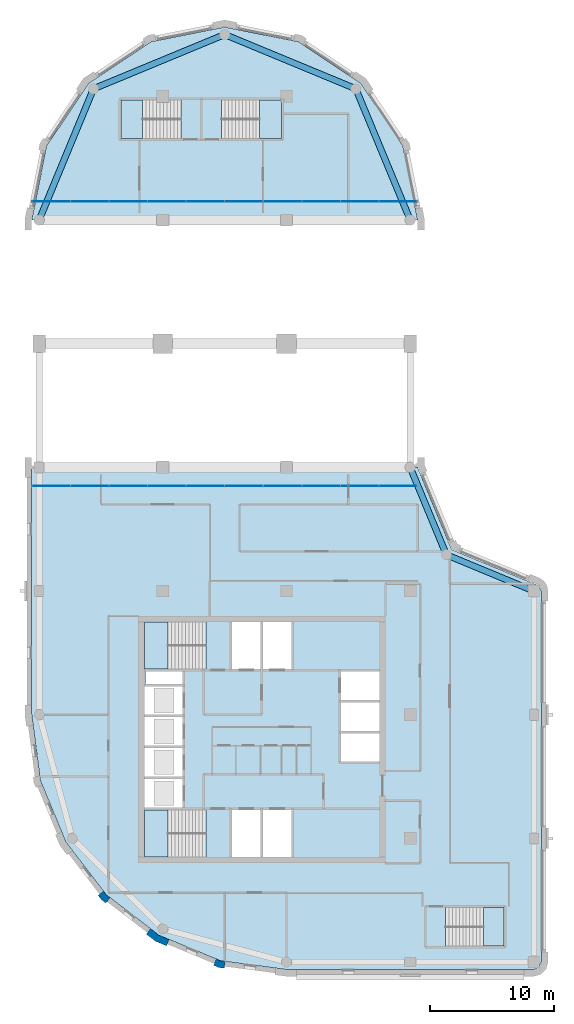
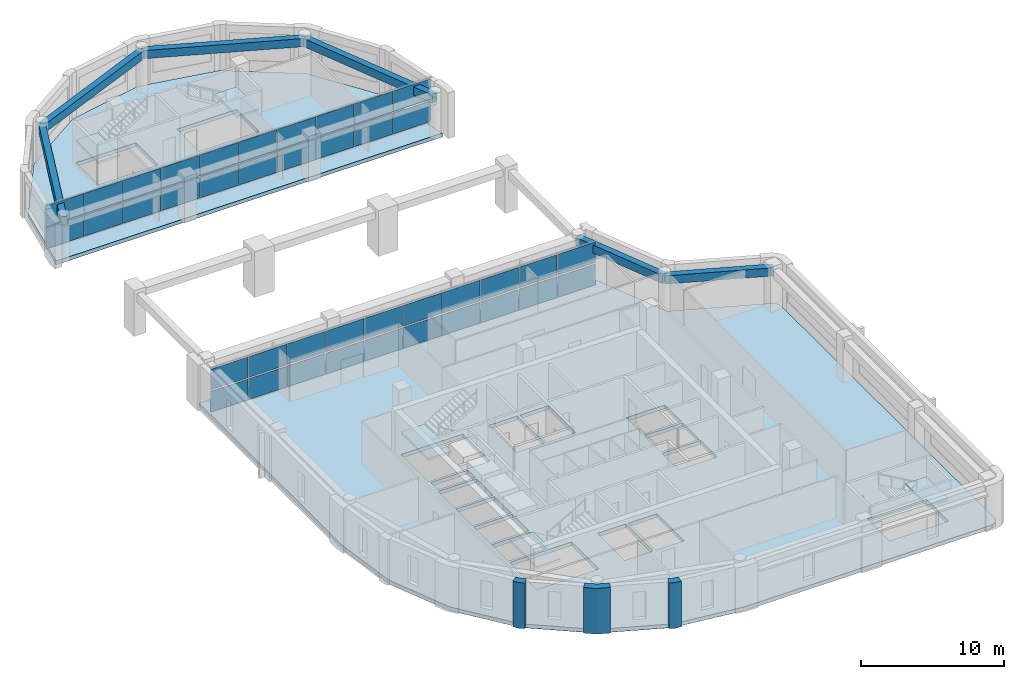
# One storey, part 4 of 11: 40 plates, 7 slabs, 6 beams, 3 walls, 7 elements without a shape of their own.
"""IFC4 building model written with IfcOpenShell, lengths in metres."""

import ifcopenshell
import ifcopenshell.guid

model = None  # the IFC model being written
_history = None  # IfcOwnerHistory: only IFC2X3 demands one
_inside = {}  # id of a spatial element -> (the spatial element, [elements in it])
_under = {}  # id of a project, library or spatial element -> (it, [spatial elements below it])
_declared = {}  # id of a project -> (the project, [libraries it declares])
_typed = {}  # id of a type object -> (the type object, [elements of that type])
_made_of = {}  # id of a material, layer set ... -> (it, [elements and type objects made of it])


def new_model(schema):
    """Start an empty IFC model of exactly this schema.

    Asked for "IFC4X3", IfcOpenShell would pick the latest addendum, in which some entities
    have other attributes; the version numbers below select the first issue.
    IFC2X3 requires an IfcOwnerHistory on every rooted entity: one is made here for all.
    """
    global model, _history
    if schema == "IFC4X3":
        model = ifcopenshell.file(schema_version=(4, 3, 0, 0))
    else:
        model = ifcopenshell.file(schema=schema)
    _inside.clear()
    _under.clear()
    _declared.clear()
    _typed.clear()
    _made_of.clear()
    _history = None
    if model.schema == "IFC2X3":
        org = make("IfcOrganization", Name="unknown")
        user = make(
            "IfcPersonAndOrganization",
            ThePerson=make("IfcPerson", FamilyName="unknown"),
            TheOrganization=org,
        )
        app = make(
            "IfcApplication",
            ApplicationDeveloper=org,
            Version="unknown",
            ApplicationFullName="unknown",
            ApplicationIdentifier="unknown",
        )
        _history = make(
            "IfcOwnerHistory",
            OwningUser=user,
            OwningApplication=app,
            ChangeAction="ADDED",
            CreationDate=0,
        )
    return model


def make(cls, **values):
    """One entity of the class cls with the attributes given. An attribute that is None is left unset."""
    return model.create_entity(
        cls, **{name: value for name, value in values.items() if value is not None}
    )


def rooted(cls, **values):
    """An entity with a GlobalId (a new one), such as an element, a storey or a relation."""
    return make(cls, GlobalId=ifcopenshell.guid.new(), OwnerHistory=_history, **values)


def si_unit(unit_type, name, prefix=None):
    """IfcSIUnit, for example si_unit("LENGTHUNIT", "METRE", prefix="MILLI")."""
    return make("IfcSIUnit", UnitType=unit_type, Prefix=prefix, Name=name)


def assignment(units):
    """IfcUnitAssignment: the units of a project."""
    return None if units is None else make("IfcUnitAssignment", Units=units)


def point(xyz):
    """IfcCartesianPoint."""
    return None if xyz is None else make("IfcCartesianPoint", Coordinates=xyz)


def direction(xyz):
    """IfcDirection."""
    return None if xyz is None else make("IfcDirection", DirectionRatios=xyz)


def frame(location, z_axis=None, x_axis=None):
    """IfcAxis2Placement3D, a coordinate frame: its origin and axes. An axis left out is left unset."""
    return make(
        "IfcAxis2Placement3D",
        Location=point(location),
        Axis=direction(z_axis),
        RefDirection=direction(x_axis),
    )


def frame_2d(location, x_axis=None):
    """IfcAxis2Placement2D, a coordinate frame in the plane: its origin and x axis."""
    return make(
        "IfcAxis2Placement2D", Location=point(location), RefDirection=direction(x_axis)
    )


def origin():
    """The frame at (0, 0, 0) with its axes left unset."""
    return frame((0.0, 0.0, 0.0))


def origin_2d():
    """The frame at (0, 0) in the plane with its x axis left unset."""
    return frame_2d((0.0, 0.0))


def place(relative_to, where):
    """IfcLocalPlacement: puts the frame where relative to a parent placement (None: the world)."""
    return make(
        "IfcLocalPlacement", PlacementRelTo=relative_to, RelativePlacement=where
    )


def context(
    kind, dimensions, precision=None, world=None, true_north=None, identifier=None
):
    """IfcGeometricRepresentationContext, for example the 3D "Model" context."""
    return make(
        "IfcGeometricRepresentationContext",
        ContextIdentifier=identifier,
        ContextType=kind,
        CoordinateSpaceDimension=dimensions,
        Precision=precision,
        WorldCoordinateSystem=world,
        TrueNorth=true_north,
    )


def subcontext(parent, identifier, kind, view, scale=None):
    """IfcGeometricRepresentationSubContext, for example "Body" below "Model"."""
    return make(
        "IfcGeometricRepresentationSubContext",
        ContextIdentifier=identifier,
        ContextType=kind,
        ParentContext=parent,
        TargetScale=scale,
        TargetView=view,
    )


def project(units=None, contexts=None):
    """IfcProject with its units and contexts."""
    return rooted(
        "IfcProject",
        Name="project",
        RepresentationContexts=contexts,
        UnitsInContext=assignment(units),
    )


def spatial(cls, under=None, at=None, **own):
    """A site, building, storey or space (cls), placed at a placement, below another one or the project."""
    s = rooted(cls, ObjectPlacement=at, **own)
    if under is not None:
        _under.setdefault(under.id(), (under, []))[1].append(s)
    return s


def polyline(points):
    """IfcPolyline through the points."""
    return make("IfcPolyline", Points=[point(p) for p in points])


def profile(cls, at=None, kind="AREA", **sizes):
    """A parametric profile (cls). Its sizes go by their IFC names, for example OverallWidth=200.0."""
    return make(cls, ProfileType=kind, Position=at, **sizes)


def rectangle(**sizes):
    """IfcRectangleProfileDef."""
    return profile("IfcRectangleProfileDef", **sizes)


def outline(outer, holes=None, kind="AREA"):
    """IfcArbitraryClosedProfileDef: a profile drawn as a closed curve; with holes, ...WithVoids."""
    if holes is None:
        return make("IfcArbitraryClosedProfileDef", ProfileType=kind, OuterCurve=outer)
    return make(
        "IfcArbitraryProfileDefWithVoids",
        ProfileType=kind,
        OuterCurve=outer,
        InnerCurves=holes,
    )


def extrude(swept, where, along, depth):
    """IfcExtrudedAreaSolid: the profile swept, set in the frame where, extruded along a direction by depth."""
    return make(
        "IfcExtrudedAreaSolid",
        SweptArea=swept,
        Position=where,
        ExtrudedDirection=direction(along),
        Depth=depth,
    )


def shape(context_of_items, identifier, shape_type, items):
    """IfcShapeRepresentation: the items that make up one representation, for example the "Body"."""
    return make(
        "IfcShapeRepresentation",
        ContextOfItems=context_of_items,
        RepresentationIdentifier=identifier,
        RepresentationType=shape_type,
        Items=items,
    )


def material(Name=None, Category=None):
    """IfcMaterial."""
    return make("IfcMaterial", Name=Name, Category=Category)


def layer(
    of_material, thickness, ventilated=None, Name=None, Category=None, Priority=None
):
    """IfcMaterialLayer: one layer of a wall or slab, of a material (None: an air gap)."""
    return make(
        "IfcMaterialLayer",
        Material=of_material,
        LayerThickness=thickness,
        IsVentilated=ventilated,
        Name=Name,
        Category=Category,
        Priority=Priority,
    )


def layer_set(layers, Name=None):
    """IfcMaterialLayerSet."""
    return make("IfcMaterialLayerSet", MaterialLayers=layers, LayerSetName=Name)


def material_profile(
    of_material, cross_section, Name=None, Category=None, Priority=None
):
    """IfcMaterialProfile: a cross section and its material."""
    return make(
        "IfcMaterialProfile",
        Name=Name,
        Material=of_material,
        Profile=cross_section,
        Priority=Priority,
        Category=Category,
    )


def profile_set(profiles, Name=None, composite=None):
    """IfcMaterialProfileSet."""
    return make(
        "IfcMaterialProfileSet",
        Name=Name,
        MaterialProfiles=profiles,
        CompositeProfile=composite,
    )


def made_of(thing, what):
    """Note that an element or type object is made of a material, layer set ...; save() writes the relation."""
    if what is not None:
        _made_of.setdefault(what.id(), (what, []))[1].append(thing)
    return thing


def type_object(cls, material=None, **own):
    """A type object (cls), such as IfcWallType, which elements share."""
    return made_of(rooted(cls, **own), material)


def element(
    cls,
    number,
    at=None,
    inside=None,
    cuts=None,
    type_object=None,
    material=None,
    context=None,
    identifier="Body",
    shape_type=None,
    held_by="IfcProductDefinitionShape",
    body=None,
    shapes=None,
    **own,
):
    """One element of the class cls, such as IfcWall. Its Tag is "e" and its number.

    at: its placement. inside: the storey or other place that contains it. cuts: it is an
    opening in that element (IfcRelVoidsElement). A single representation is given by context,
    identifier, shape_type and body (its items); several are given by shapes. held_by: the class
    of the entity that holds the representations. save() writes the other relations.
    """
    e = rooted(cls, Tag="e%d" % number, ObjectPlacement=at, **own)
    if body is not None:
        shapes = [shape(context, identifier, shape_type, body)]
    if shapes is not None:
        e.Representation = make(held_by, Representations=shapes)
    if inside is not None:
        _inside.setdefault(inside.id(), (inside, []))[1].append(e)
    if cuts is not None:
        rooted(
            "IfcRelVoidsElement", RelatingBuildingElement=cuts, RelatedOpeningElement=e
        )
    if type_object is not None:
        _typed.setdefault(type_object.id(), (type_object, []))[1].append(e)
    return made_of(e, material)


def aggregate(whole, parts):
    """IfcRelAggregates: a whole, such as a stair, and the parts it consists of."""
    return rooted("IfcRelAggregates", RelatingObject=whole, RelatedObjects=parts)


def save(model, path):
    """Write the relations noted so far, then the file.

    IfcRelAggregates (storeys below a building ...), IfcRelContainedInSpatialStructure (elements
    in a storey), IfcRelDefinesByType, IfcRelAssociatesMaterial and IfcRelDeclares: one each for
    every whole, place, type object, material and project.
    """
    for whole, parts in _under.values():
        aggregate(whole, parts)
    for where, things in _inside.values():
        rooted(
            "IfcRelContainedInSpatialStructure",
            RelatedElements=things,
            RelatingStructure=where,
        )
    for kind, things in _typed.values():
        rooted("IfcRelDefinesByType", RelatedObjects=things, RelatingType=kind)
    for what, things in _made_of.values():
        rooted("IfcRelAssociatesMaterial", RelatedObjects=things, RelatingMaterial=what)
    for by, libraries in _declared.values():
        rooted("IfcRelDeclares", RelatingContext=by, RelatedDefinitions=libraries)
    model.write(path)


model = new_model("IFC4")

# Units and contexts
model_context = context("Model", 3, precision=1e-05, world=origin(), true_north=direction((0.0, 1.0)))
body_context = subcontext(model_context, "Body", "Model", "MODEL_VIEW")
ifc_project = project(units=[si_unit("LENGTHUNIT", "METRE"), si_unit("AREAUNIT", "SQUARE_METRE"), si_unit("VOLUMEUNIT", "CUBIC_METRE"), si_unit("PLANEANGLEUNIT", "RADIAN"), si_unit("MASSUNIT", "GRAM", prefix="KILO")], contexts=[model_context])

# Site, building, storey
site_placement = place(None, origin())
site = spatial("IfcSite", under=ifc_project, at=site_placement, CompositionType="ELEMENT")
building_placement = place(site_placement, origin())
building = spatial("IfcBuilding", under=site, at=building_placement, Name="Qaws Garden Tower", CompositionType="ELEMENT")
storey_placement = place(building_placement, frame((0.0, 0.0, 325.5)))
storey = spatial("IfcBuildingStorey", under=building, at=storey_placement, Name="L79", CompositionType="ELEMENT", Elevation=325.5)

# Beams
ifc_material_1 = material(Name="Concrete C45", Category="concrete")
ifc_material_profile = material_profile(ifc_material_1, rectangle(XDim=0.5, YDim=0.699951171875, at=origin_2d()), Name="RC 500x700")
ifc_profile_set = profile_set([ifc_material_profile], Name="Concrete C45")
beam_type = type_object("IfcBeamType", Name="Spandrel beam RC 500x700 C45", PredefinedType="SPANDREL", material=ifc_profile_set)
for number, where, z_axis, x_axis, name in (
    (1, (40.0, 30.0, 3.22998046875), (-0.923878037141, 0.382687042488, 0.0), (-0.382687042488, -0.923878037141, 0.0), "Spandrel beam L79-006"),
    (2, (32.928955078125, 32.928955078125, 3.22998046875), (-0.382687042488, 0.923878037141, 0.0), (-0.923878037141, -0.382687042488, 0.0), "Spandrel beam L79-007"),
):
    element("IfcBeam", number, at=place(storey_placement, frame(where, z_axis=z_axis, x_axis=x_axis)), inside=storey, type_object=beam_type, Name=name, PredefinedType="SPANDREL", context=body_context, shape_type="SweptSolid", body=[
        extrude(rectangle(XDim=0.5, YDim=0.699951171875, at=origin_2d()), origin(), (0.0, 0.0, 1.0), 7.653564453125),
    ])
for number, where, z_axis, x_axis, name in (
    (3, (30.0, 60.0, 3.22998046875), (-0.382674207535, 0.923883353507, 0.0), (-0.923883353507, -0.382674207535, 0.0), "Spandrel beam L79-009"),
    (4, (25.606689453125, 70.606689453125, 3.22998046875), (-0.923883353507, 0.382674207535, 0.0), (-0.382674207535, -0.923883353507, 0.0), "Spandrel beam L79-010"),
    (5, (15.0, 75.0, 3.22998046875), (-0.923883353507, -0.382674207535, 0.0), (0.382674207535, -0.923883353507, 0.0), "Spandrel beam L79-011"),
    (6, (4.393310546875, 70.606689453125, 3.22998046875), (-0.382674207535, -0.923883353507, 0.0), (0.923883353507, -0.382674207535, 0.0), "Spandrel beam L79-012"),
):
    element("IfcBeam", number, at=place(storey_placement, frame(where, z_axis=z_axis, x_axis=x_axis)), inside=storey, type_object=beam_type, Name=name, PredefinedType="SPANDREL", context=body_context, shape_type="SweptSolid", body=[
        extrude(rectangle(XDim=0.5, YDim=0.699951171875, at=origin_2d()), origin(), (0.0, 0.0, 1.0), 11.48046875),
    ])

# Curtain wall, plates
ifc_material_2 = material(Name="Anodised aluminium curtain wall frame", Category="aluminium")
ifc_layer_1 = layer(ifc_material_2, 0.159912109375)
ifc_layer_set_1 = layer_set([ifc_layer_1], Name="Anodised aluminium curtain wall frame")
curtain_wall_type = type_object("IfcCurtainWallType", Name="CW5 portal screen curtain wall", PredefinedType="NOTDEFINED", material=ifc_layer_set_1)
placement_1 = place(storey_placement, origin())
curtain_wall_1 = element("IfcCurtainWall", 7, at=placement_1, inside=storey, type_object=curtain_wall_type, Name="CW5 Portal screen 0", PredefinedType="NOTDEFINED")
ifc_material_3 = material(Name="Clear laminated glass", Category="glass")
ifc_layer_2 = layer(ifc_material_3, 0.031982421875)
ifc_layer_set_2 = layer_set([ifc_layer_2], Name="Clear laminated glass")
plate_type = type_object("IfcPlateType", Name="CW5 glass panel 32", PredefinedType="CURTAIN_PANEL", material=ifc_layer_set_2)
plate_1_placement = place(storey_placement, frame((0.972412109375, 38.5, 0.119873046875), z_axis=(0.0, 0.0, 1.0), x_axis=(1.0, 0.0, 0.0)))
plate_1 = element("IfcPlate", 8, at=plate_1_placement, type_object=plate_type, Name="CW5 panel 1.1", PredefinedType="CURTAIN_PANEL", context=body_context, shape_type="SweptSolid", body=[
    extrude(rectangle(XDim=3.044921875, YDim=0.031982421875, at=origin_2d()), origin(), (0.0, 0.0, 1.0), 1.77001953125),
])
plate_2_placement = place(storey_placement, frame((0.972412109375, 38.5, 2.010009765625), z_axis=(0.0, 0.0, 1.0), x_axis=(1.0, 0.0, 0.0)))
plate_2 = element("IfcPlate", 9, at=plate_2_placement, type_object=plate_type, Name="CW5 panel 1.2", PredefinedType="CURTAIN_PANEL", context=body_context, shape_type="SweptSolid", body=[
    extrude(rectangle(XDim=3.044921875, YDim=0.031982421875, at=origin_2d()), origin(), (0.0, 0.0, 1.0), 1.77001953125),
])
plate_3_placement = place(storey_placement, frame((4.080078125, 38.5, 0.119873046875), z_axis=(0.0, 0.0, 1.0), x_axis=(1.0, 0.0, 0.0)))
plate_3 = element("IfcPlate", 10, at=plate_3_placement, type_object=plate_type, Name="CW5 panel 2.1", PredefinedType="CURTAIN_PANEL", context=body_context, shape_type="SweptSolid", body=[
    extrude(rectangle(XDim=3.070068359375, YDim=0.031982421875, at=origin_2d()), origin(), (0.0, 0.0, 1.0), 1.77001953125),
])
plate_4_placement = place(storey_placement, frame((4.080078125, 38.5, 2.010009765625), z_axis=(0.0, 0.0, 1.0), x_axis=(1.0, 0.0, 0.0)))
plate_4 = element("IfcPlate", 11, at=plate_4_placement, type_object=plate_type, Name="CW5 panel 2.2", PredefinedType="CURTAIN_PANEL", context=body_context, shape_type="SweptSolid", body=[
    extrude(rectangle(XDim=3.070068359375, YDim=0.031982421875, at=origin_2d()), origin(), (0.0, 0.0, 1.0), 1.77001953125),
])
plate_5_placement = place(storey_placement, frame((7.199951171875, 38.5, 0.119873046875), z_axis=(0.0, 0.0, 1.0), x_axis=(1.0, 0.0, 0.0)))
plate_5 = element("IfcPlate", 12, at=plate_5_placement, type_object=plate_type, Name="CW5 panel 3.1", PredefinedType="CURTAIN_PANEL", context=body_context, shape_type="SweptSolid", body=[
    extrude(rectangle(XDim=3.070068359375, YDim=0.031982421875, at=origin_2d()), origin(), (0.0, 0.0, 1.0), 1.77001953125),
])
plate_6_placement = place(storey_placement, frame((7.199951171875, 38.5, 2.010009765625), z_axis=(0.0, 0.0, 1.0), x_axis=(1.0, 0.0, 0.0)))
plate_6 = element("IfcPlate", 13, at=plate_6_placement, type_object=plate_type, Name="CW5 panel 3.2", PredefinedType="CURTAIN_PANEL", context=body_context, shape_type="SweptSolid", body=[
    extrude(rectangle(XDim=3.070068359375, YDim=0.031982421875, at=origin_2d()), origin(), (0.0, 0.0, 1.0), 1.77001953125),
])
plate_7_placement = place(storey_placement, frame((10.320068359375, 38.5, 0.119873046875), z_axis=(0.0, 0.0, 1.0), x_axis=(1.0, 0.0, 0.0)))
plate_7 = element("IfcPlate", 14, at=plate_7_placement, type_object=plate_type, Name="CW5 panel 4.1", PredefinedType="CURTAIN_PANEL", context=body_context, shape_type="SweptSolid", body=[
    extrude(rectangle(XDim=3.070068359375, YDim=0.031982421875, at=origin_2d()), origin(), (0.0, 0.0, 1.0), 1.77001953125),
])
plate_8_placement = place(storey_placement, frame((10.320068359375, 38.5, 2.010009765625), z_axis=(0.0, 0.0, 1.0), x_axis=(1.0, 0.0, 0.0)))
plate_8 = element("IfcPlate", 15, at=plate_8_placement, type_object=plate_type, Name="CW5 panel 4.2", PredefinedType="CURTAIN_PANEL", context=body_context, shape_type="SweptSolid", body=[
    extrude(rectangle(XDim=3.070068359375, YDim=0.031982421875, at=origin_2d()), origin(), (0.0, 0.0, 1.0), 1.77001953125),
])
plate_9_placement = place(storey_placement, frame((13.43994140625, 38.5, 0.119873046875), z_axis=(0.0, 0.0, 1.0), x_axis=(1.0, 0.0, 0.0)))
plate_9 = element("IfcPlate", 16, at=plate_9_placement, type_object=plate_type, Name="CW5 panel 5.1", PredefinedType="CURTAIN_PANEL", context=body_context, shape_type="SweptSolid", body=[
    extrude(rectangle(XDim=3.070068359375, YDim=0.031982421875, at=origin_2d()), origin(), (0.0, 0.0, 1.0), 1.77001953125),
])
plate_10_placement = place(storey_placement, frame((13.43994140625, 38.5, 2.010009765625), z_axis=(0.0, 0.0, 1.0), x_axis=(1.0, 0.0, 0.0)))
plate_10 = element("IfcPlate", 17, at=plate_10_placement, type_object=plate_type, Name="CW5 panel 5.2", PredefinedType="CURTAIN_PANEL", context=body_context, shape_type="SweptSolid", body=[
    extrude(rectangle(XDim=3.070068359375, YDim=0.031982421875, at=origin_2d()), origin(), (0.0, 0.0, 1.0), 1.77001953125),
])
plate_11_placement = place(storey_placement, frame((16.56005859375, 38.5, 0.119873046875), z_axis=(0.0, 0.0, 1.0), x_axis=(1.0, 0.0, 0.0)))
plate_11 = element("IfcPlate", 18, at=plate_11_placement, type_object=plate_type, Name="CW5 panel 6.1", PredefinedType="CURTAIN_PANEL", context=body_context, shape_type="SweptSolid", body=[
    extrude(rectangle(XDim=3.070068359375, YDim=0.031982421875, at=origin_2d()), origin(), (0.0, 0.0, 1.0), 1.77001953125),
])
plate_12_placement = place(storey_placement, frame((16.56005859375, 38.5, 2.010009765625), z_axis=(0.0, 0.0, 1.0), x_axis=(1.0, 0.0, 0.0)))
plate_12 = element("IfcPlate", 19, at=plate_12_placement, type_object=plate_type, Name="CW5 panel 6.2", PredefinedType="CURTAIN_PANEL", context=body_context, shape_type="SweptSolid", body=[
    extrude(rectangle(XDim=3.070068359375, YDim=0.031982421875, at=origin_2d()), origin(), (0.0, 0.0, 1.0), 1.77001953125),
])
plate_13_placement = place(storey_placement, frame((19.679931640625, 38.5, 0.119873046875), z_axis=(0.0, 0.0, 1.0), x_axis=(1.0, 0.0, 0.0)))
plate_13 = element("IfcPlate", 20, at=plate_13_placement, type_object=plate_type, Name="CW5 panel 7.1", PredefinedType="CURTAIN_PANEL", context=body_context, shape_type="SweptSolid", body=[
    extrude(rectangle(XDim=3.070068359375, YDim=0.031982421875, at=origin_2d()), origin(), (0.0, 0.0, 1.0), 1.77001953125),
])
plate_14_placement = place(storey_placement, frame((19.679931640625, 38.5, 2.010009765625), z_axis=(0.0, 0.0, 1.0), x_axis=(1.0, 0.0, 0.0)))
plate_14 = element("IfcPlate", 21, at=plate_14_placement, type_object=plate_type, Name="CW5 panel 7.2", PredefinedType="CURTAIN_PANEL", context=body_context, shape_type="SweptSolid", body=[
    extrude(rectangle(XDim=3.070068359375, YDim=0.031982421875, at=origin_2d()), origin(), (0.0, 0.0, 1.0), 1.77001953125),
])
plate_15_placement = place(storey_placement, frame((22.800048828125, 38.5, 0.119873046875), z_axis=(0.0, 0.0, 1.0), x_axis=(1.0, 0.0, 0.0)))
plate_15 = element("IfcPlate", 22, at=plate_15_placement, type_object=plate_type, Name="CW5 panel 8.1", PredefinedType="CURTAIN_PANEL", context=body_context, shape_type="SweptSolid", body=[
    extrude(rectangle(XDim=3.070068359375, YDim=0.031982421875, at=origin_2d()), origin(), (0.0, 0.0, 1.0), 1.77001953125),
])
plate_16_placement = place(storey_placement, frame((22.800048828125, 38.5, 2.010009765625), z_axis=(0.0, 0.0, 1.0), x_axis=(1.0, 0.0, 0.0)))
plate_16 = element("IfcPlate", 23, at=plate_16_placement, type_object=plate_type, Name="CW5 panel 8.2", PredefinedType="CURTAIN_PANEL", context=body_context, shape_type="SweptSolid", body=[
    extrude(rectangle(XDim=3.070068359375, YDim=0.031982421875, at=origin_2d()), origin(), (0.0, 0.0, 1.0), 1.77001953125),
])
plate_17_placement = place(storey_placement, frame((25.919921875, 38.5, 0.119873046875), z_axis=(0.0, 0.0, 1.0), x_axis=(1.0, 0.0, 0.0)))
plate_17 = element("IfcPlate", 24, at=plate_17_placement, type_object=plate_type, Name="CW5 panel 9.1", PredefinedType="CURTAIN_PANEL", context=body_context, shape_type="SweptSolid", body=[
    extrude(rectangle(XDim=3.070068359375, YDim=0.031982421875, at=origin_2d()), origin(), (0.0, 0.0, 1.0), 1.77001953125),
])
plate_18_placement = place(storey_placement, frame((25.919921875, 38.5, 2.010009765625), z_axis=(0.0, 0.0, 1.0), x_axis=(1.0, 0.0, 0.0)))
plate_18 = element("IfcPlate", 25, at=plate_18_placement, type_object=plate_type, Name="CW5 panel 9.2", PredefinedType="CURTAIN_PANEL", context=body_context, shape_type="SweptSolid", body=[
    extrude(rectangle(XDim=3.070068359375, YDim=0.031982421875, at=origin_2d()), origin(), (0.0, 0.0, 1.0), 1.77001953125),
])
plate_19_placement = place(storey_placement, frame((29.027587890625, 38.5, 0.119873046875), z_axis=(0.0, 0.0, 1.0), x_axis=(1.0, 0.0, 0.0)))
plate_19 = element("IfcPlate", 26, at=plate_19_placement, type_object=plate_type, Name="CW5 panel 10.1", PredefinedType="CURTAIN_PANEL", context=body_context, shape_type="SweptSolid", body=[
    extrude(rectangle(XDim=3.044921875, YDim=0.031982421875, at=origin_2d()), origin(), (0.0, 0.0, 1.0), 1.77001953125),
])
plate_20_placement = place(storey_placement, frame((29.027587890625, 38.5, 2.010009765625), z_axis=(0.0, 0.0, 1.0), x_axis=(1.0, 0.0, 0.0)))
plate_20 = element("IfcPlate", 27, at=plate_20_placement, type_object=plate_type, Name="CW5 panel 10.2", PredefinedType="CURTAIN_PANEL", context=body_context, shape_type="SweptSolid", body=[
    extrude(rectangle(XDim=3.044921875, YDim=0.031982421875, at=origin_2d()), origin(), (0.0, 0.0, 1.0), 1.77001953125),
])
aggregate(curtain_wall_1, [plate_1, plate_2, plate_3, plate_4, plate_5, plate_6, plate_7, plate_8, plate_9, plate_10, plate_11, plate_12, plate_13, plate_14, plate_15, plate_16, plate_17, plate_18, plate_19, plate_20])

curtain_wall_2 = element("IfcCurtainWall", 28, at=placement_1, inside=storey, type_object=curtain_wall_type, Name="CW5 Portal screen 1", PredefinedType="NOTDEFINED")
plate_21_placement = place(storey_placement, frame((0.972412109375, 61.5, 0.119873046875), z_axis=(0.0, 0.0, 1.0), x_axis=(1.0, 0.0, 0.0)))
plate_21 = element("IfcPlate", 29, at=plate_21_placement, type_object=plate_type, Name="CW5 panel 1.1", PredefinedType="CURTAIN_PANEL", context=body_context, shape_type="SweptSolid", body=[
    extrude(rectangle(XDim=3.044921875, YDim=0.031982421875, at=origin_2d()), origin(), (0.0, 0.0, 1.0), 1.77001953125),
])
plate_22_placement = place(storey_placement, frame((0.972412109375, 61.5, 2.010009765625), z_axis=(0.0, 0.0, 1.0), x_axis=(1.0, 0.0, 0.0)))
plate_22 = element("IfcPlate", 30, at=plate_22_placement, type_object=plate_type, Name="CW5 panel 1.2", PredefinedType="CURTAIN_PANEL", context=body_context, shape_type="SweptSolid", body=[
    extrude(rectangle(XDim=3.044921875, YDim=0.031982421875, at=origin_2d()), origin(), (0.0, 0.0, 1.0), 1.77001953125),
])
plate_23_placement = place(storey_placement, frame((4.080078125, 61.5, 0.119873046875), z_axis=(0.0, 0.0, 1.0), x_axis=(1.0, 0.0, 0.0)))
plate_23 = element("IfcPlate", 31, at=plate_23_placement, type_object=plate_type, Name="CW5 panel 2.1", PredefinedType="CURTAIN_PANEL", context=body_context, shape_type="SweptSolid", body=[
    extrude(rectangle(XDim=3.070068359375, YDim=0.031982421875, at=origin_2d()), origin(), (0.0, 0.0, 1.0), 1.77001953125),
])
plate_24_placement = place(storey_placement, frame((4.080078125, 61.5, 2.010009765625), z_axis=(0.0, 0.0, 1.0), x_axis=(1.0, 0.0, 0.0)))
plate_24 = element("IfcPlate", 32, at=plate_24_placement, type_object=plate_type, Name="CW5 panel 2.2", PredefinedType="CURTAIN_PANEL", context=body_context, shape_type="SweptSolid", body=[
    extrude(rectangle(XDim=3.070068359375, YDim=0.031982421875, at=origin_2d()), origin(), (0.0, 0.0, 1.0), 1.77001953125),
])
plate_25_placement = place(storey_placement, frame((7.199951171875, 61.5, 0.119873046875), z_axis=(0.0, 0.0, 1.0), x_axis=(1.0, 0.0, 0.0)))
plate_25 = element("IfcPlate", 33, at=plate_25_placement, type_object=plate_type, Name="CW5 panel 3.1", PredefinedType="CURTAIN_PANEL", context=body_context, shape_type="SweptSolid", body=[
    extrude(rectangle(XDim=3.070068359375, YDim=0.031982421875, at=origin_2d()), origin(), (0.0, 0.0, 1.0), 1.77001953125),
])
plate_26_placement = place(storey_placement, frame((7.199951171875, 61.5, 2.010009765625), z_axis=(0.0, 0.0, 1.0), x_axis=(1.0, 0.0, 0.0)))
plate_26 = element("IfcPlate", 34, at=plate_26_placement, type_object=plate_type, Name="CW5 panel 3.2", PredefinedType="CURTAIN_PANEL", context=body_context, shape_type="SweptSolid", body=[
    extrude(rectangle(XDim=3.070068359375, YDim=0.031982421875, at=origin_2d()), origin(), (0.0, 0.0, 1.0), 1.77001953125),
])
plate_27_placement = place(storey_placement, frame((10.320068359375, 61.5, 0.119873046875), z_axis=(0.0, 0.0, 1.0), x_axis=(1.0, 0.0, 0.0)))
plate_27 = element("IfcPlate", 35, at=plate_27_placement, type_object=plate_type, Name="CW5 panel 4.1", PredefinedType="CURTAIN_PANEL", context=body_context, shape_type="SweptSolid", body=[
    extrude(rectangle(XDim=3.070068359375, YDim=0.031982421875, at=origin_2d()), origin(), (0.0, 0.0, 1.0), 1.77001953125),
])
plate_28_placement = place(storey_placement, frame((10.320068359375, 61.5, 2.010009765625), z_axis=(0.0, 0.0, 1.0), x_axis=(1.0, 0.0, 0.0)))
plate_28 = element("IfcPlate", 36, at=plate_28_placement, type_object=plate_type, Name="CW5 panel 4.2", PredefinedType="CURTAIN_PANEL", context=body_context, shape_type="SweptSolid", body=[
    extrude(rectangle(XDim=3.070068359375, YDim=0.031982421875, at=origin_2d()), origin(), (0.0, 0.0, 1.0), 1.77001953125),
])
plate_29_placement = place(storey_placement, frame((13.43994140625, 61.5, 0.119873046875), z_axis=(0.0, 0.0, 1.0), x_axis=(1.0, 0.0, 0.0)))
plate_29 = element("IfcPlate", 37, at=plate_29_placement, type_object=plate_type, Name="CW5 panel 5.1", PredefinedType="CURTAIN_PANEL", context=body_context, shape_type="SweptSolid", body=[
    extrude(rectangle(XDim=3.070068359375, YDim=0.031982421875, at=origin_2d()), origin(), (0.0, 0.0, 1.0), 1.77001953125),
])
plate_30_placement = place(storey_placement, frame((13.43994140625, 61.5, 2.010009765625), z_axis=(0.0, 0.0, 1.0), x_axis=(1.0, 0.0, 0.0)))
plate_30 = element("IfcPlate", 38, at=plate_30_placement, type_object=plate_type, Name="CW5 panel 5.2", PredefinedType="CURTAIN_PANEL", context=body_context, shape_type="SweptSolid", body=[
    extrude(rectangle(XDim=3.070068359375, YDim=0.031982421875, at=origin_2d()), origin(), (0.0, 0.0, 1.0), 1.77001953125),
])
plate_31_placement = place(storey_placement, frame((16.56005859375, 61.5, 0.119873046875), z_axis=(0.0, 0.0, 1.0), x_axis=(1.0, 0.0, 0.0)))
plate_31 = element("IfcPlate", 39, at=plate_31_placement, type_object=plate_type, Name="CW5 panel 6.1", PredefinedType="CURTAIN_PANEL", context=body_context, shape_type="SweptSolid", body=[
    extrude(rectangle(XDim=3.070068359375, YDim=0.031982421875, at=origin_2d()), origin(), (0.0, 0.0, 1.0), 1.77001953125),
])
plate_32_placement = place(storey_placement, frame((16.56005859375, 61.5, 2.010009765625), z_axis=(0.0, 0.0, 1.0), x_axis=(1.0, 0.0, 0.0)))
plate_32 = element("IfcPlate", 40, at=plate_32_placement, type_object=plate_type, Name="CW5 panel 6.2", PredefinedType="CURTAIN_PANEL", context=body_context, shape_type="SweptSolid", body=[
    extrude(rectangle(XDim=3.070068359375, YDim=0.031982421875, at=origin_2d()), origin(), (0.0, 0.0, 1.0), 1.77001953125),
])
plate_33_placement = place(storey_placement, frame((19.679931640625, 61.5, 0.119873046875), z_axis=(0.0, 0.0, 1.0), x_axis=(1.0, 0.0, 0.0)))
plate_33 = element("IfcPlate", 41, at=plate_33_placement, type_object=plate_type, Name="CW5 panel 7.1", PredefinedType="CURTAIN_PANEL", context=body_context, shape_type="SweptSolid", body=[
    extrude(rectangle(XDim=3.070068359375, YDim=0.031982421875, at=origin_2d()), origin(), (0.0, 0.0, 1.0), 1.77001953125),
])
plate_34_placement = place(storey_placement, frame((19.679931640625, 61.5, 2.010009765625), z_axis=(0.0, 0.0, 1.0), x_axis=(1.0, 0.0, 0.0)))
plate_34 = element("IfcPlate", 42, at=plate_34_placement, type_object=plate_type, Name="CW5 panel 7.2", PredefinedType="CURTAIN_PANEL", context=body_context, shape_type="SweptSolid", body=[
    extrude(rectangle(XDim=3.070068359375, YDim=0.031982421875, at=origin_2d()), origin(), (0.0, 0.0, 1.0), 1.77001953125),
])
plate_35_placement = place(storey_placement, frame((22.800048828125, 61.5, 0.119873046875), z_axis=(0.0, 0.0, 1.0), x_axis=(1.0, 0.0, 0.0)))
plate_35 = element("IfcPlate", 43, at=plate_35_placement, type_object=plate_type, Name="CW5 panel 8.1", PredefinedType="CURTAIN_PANEL", context=body_context, shape_type="SweptSolid", body=[
    extrude(rectangle(XDim=3.070068359375, YDim=0.031982421875, at=origin_2d()), origin(), (0.0, 0.0, 1.0), 1.77001953125),
])
plate_36_placement = place(storey_placement, frame((22.800048828125, 61.5, 2.010009765625), z_axis=(0.0, 0.0, 1.0), x_axis=(1.0, 0.0, 0.0)))
plate_36 = element("IfcPlate", 44, at=plate_36_placement, type_object=plate_type, Name="CW5 panel 8.2", PredefinedType="CURTAIN_PANEL", context=body_context, shape_type="SweptSolid", body=[
    extrude(rectangle(XDim=3.070068359375, YDim=0.031982421875, at=origin_2d()), origin(), (0.0, 0.0, 1.0), 1.77001953125),
])
plate_37_placement = place(storey_placement, frame((25.919921875, 61.5, 0.119873046875), z_axis=(0.0, 0.0, 1.0), x_axis=(1.0, 0.0, 0.0)))
plate_37 = element("IfcPlate", 45, at=plate_37_placement, type_object=plate_type, Name="CW5 panel 9.1", PredefinedType="CURTAIN_PANEL", context=body_context, shape_type="SweptSolid", body=[
    extrude(rectangle(XDim=3.070068359375, YDim=0.031982421875, at=origin_2d()), origin(), (0.0, 0.0, 1.0), 1.77001953125),
])
plate_38_placement = place(storey_placement, frame((25.919921875, 61.5, 2.010009765625), z_axis=(0.0, 0.0, 1.0), x_axis=(1.0, 0.0, 0.0)))
plate_38 = element("IfcPlate", 46, at=plate_38_placement, type_object=plate_type, Name="CW5 panel 9.2", PredefinedType="CURTAIN_PANEL", context=body_context, shape_type="SweptSolid", body=[
    extrude(rectangle(XDim=3.070068359375, YDim=0.031982421875, at=origin_2d()), origin(), (0.0, 0.0, 1.0), 1.77001953125),
])
plate_39_placement = place(storey_placement, frame((29.027587890625, 61.5, 0.119873046875), z_axis=(0.0, 0.0, 1.0), x_axis=(1.0, 0.0, 0.0)))
plate_39 = element("IfcPlate", 47, at=plate_39_placement, type_object=plate_type, Name="CW5 panel 10.1", PredefinedType="CURTAIN_PANEL", context=body_context, shape_type="SweptSolid", body=[
    extrude(rectangle(XDim=3.044921875, YDim=0.031982421875, at=origin_2d()), origin(), (0.0, 0.0, 1.0), 1.77001953125),
])
plate_40_placement = place(storey_placement, frame((29.027587890625, 61.5, 2.010009765625), z_axis=(0.0, 0.0, 1.0), x_axis=(1.0, 0.0, 0.0)))
plate_40 = element("IfcPlate", 48, at=plate_40_placement, type_object=plate_type, Name="CW5 panel 10.2", PredefinedType="CURTAIN_PANEL", context=body_context, shape_type="SweptSolid", body=[
    extrude(rectangle(XDim=3.044921875, YDim=0.031982421875, at=origin_2d()), origin(), (0.0, 0.0, 1.0), 1.77001953125),
])
aggregate(curtain_wall_2, [plate_21, plate_22, plate_23, plate_24, plate_25, plate_26, plate_27, plate_28, plate_29, plate_30, plate_31, plate_32, plate_33, plate_34, plate_35, plate_36, plate_37, plate_38, plate_39, plate_40])

# Slabs
ifc_material_4 = material(Name="Concrete C40", Category="concrete")
ifc_layer_3 = layer(ifc_material_4, 0.320068359375)
ifc_layer_set_3 = layer_set([ifc_layer_3], Name="Concrete C40")
slab_type_1 = type_object("IfcSlabType", Name="Floor slab 320 C40", PredefinedType="FLOOR", material=ifc_layer_set_3)
placement_2 = place(storey_placement, frame((0.0, 0.0, -0.320068359375)))
element("IfcSlab", 49, at=placement_2, inside=storey, type_object=slab_type_1, Name="Floor slab L79 part 1", PredefinedType="FLOOR", context=body_context, shape_type="SweptSolid", body=[
    extrude(outline(polyline([(-0.60009765625, 20.0), (-0.60009765625, 30.60009765625), (-0.60009765625, 40.0), (30.60009765625, 40.0), (33.353271484375, 33.353271484375), (40.0, 30.60009765625), (40.42431640625, 30.42431640625), (40.60009765625, 30.0), (40.60009765625, 0.0), (40.42431640625, -0.42431640625), (40.0, -0.60009765625), (30.60009765625, -0.60009765625), (20.0, -0.60009765625), (14.668212890625, 0.101806640625), (9.699951171875, 2.159912109375), (5.43359375, 5.43359375), (2.159912109375, 9.699951171875), (0.101806640625, 14.668212890625), (-0.60009765625, 20.0)]), holes=[polyline([(13.49951171875, 12.300048828125), (8.5, 12.300048828125), (8.5, 8.5), (13.49951171875, 8.5), (13.49951171875, 12.300048828125)]), polyline([(17.89990234375, 12.300048828125), (15.60009765625, 12.300048828125), (15.60009765625, 8.5), (17.89990234375, 8.5), (17.89990234375, 12.300048828125)]), polyline([(11.60009765625, 14.800048828125), (8.5, 14.800048828125), (8.5, 12.5), (11.60009765625, 12.5), (11.60009765625, 14.800048828125)]), polyline([(11.60009765625, 17.300048828125), (8.5, 17.300048828125), (8.5, 15.0), (11.60009765625, 15.0), (11.60009765625, 17.300048828125)]), polyline([(11.60009765625, 19.800048828125), (8.5, 19.800048828125), (8.5, 17.5), (11.60009765625, 17.5), (11.60009765625, 19.800048828125)]), polyline([(11.60009765625, 22.300048828125), (8.5, 22.300048828125), (8.5, 20.0), (11.60009765625, 20.0), (11.60009765625, 22.300048828125)]), polyline([(11.60009765625, 23.5), (8.60009765625, 23.5), (8.60009765625, 22.5), (11.60009765625, 22.5), (11.60009765625, 23.5)]), polyline([(13.49951171875, 27.5), (8.5, 27.5), (8.5, 23.699951171875), (13.49951171875, 23.699951171875), (13.49951171875, 27.5)]), polyline([(37.60009765625, 4.39990234375), (32.8505859375, 4.39990234375), (32.8505859375, 1.300048828125), (37.60009765625, 1.300048828125), (37.60009765625, 4.39990234375)]), polyline([(20.39990234375, 12.300048828125), (18.10009765625, 12.300048828125), (18.10009765625, 8.5), (20.39990234375, 8.5), (20.39990234375, 12.300048828125)]), polyline([(27.5, 18.5), (24.39990234375, 18.5), (24.39990234375, 16.199951171875), (27.5, 16.199951171875), (27.5, 18.5)]), polyline([(27.5, 21.0), (24.39990234375, 21.0), (24.39990234375, 18.699951171875), (27.5, 18.699951171875), (27.5, 21.0)]), polyline([(27.5, 23.5), (24.39990234375, 23.5), (24.39990234375, 21.199951171875), (27.5, 21.199951171875), (27.5, 23.5)]), polyline([(17.89990234375, 27.5), (15.60009765625, 27.5), (15.60009765625, 23.699951171875), (17.89990234375, 23.699951171875), (17.89990234375, 27.5)]), polyline([(20.39990234375, 23.699951171875), (20.39990234375, 27.5), (18.10009765625, 27.5), (18.10009765625, 23.699951171875), (20.39990234375, 23.699951171875)])]), origin(), (0.0, 0.0, 1.0), 0.320068359375),
])
element("IfcSlab", 50, at=placement_2, inside=storey, type_object=slab_type_1, Name="Floor slab L79 part 2", PredefinedType="FLOOR", context=body_context, shape_type="SweptSolid", body=[
    extrude(outline(polyline([(3.968994140625, 71.031005859375), (9.030029296875, 74.41259765625), (15.0, 75.60009765625), (20.969970703125, 74.41259765625), (26.031005859375, 71.031005859375), (29.41259765625, 65.969970703125), (30.60009765625, 60.0), (-0.60009765625, 60.0), (0.58740234375, 65.969970703125), (3.968994140625, 71.031005859375)]), holes=[polyline([(11.449462890625, 69.699951171875), (6.60009765625, 69.699951171875), (6.60009765625, 66.60009765625), (11.449462890625, 66.60009765625), (11.449462890625, 69.699951171875)]), polyline([(19.60009765625, 66.60009765625), (19.60009765625, 69.699951171875), (14.75048828125, 69.699951171875), (14.75048828125, 66.60009765625), (19.60009765625, 66.60009765625)])]), origin(), (0.0, 0.0, 1.0), 0.320068359375),
])

# Stair, slab
ifc_material_5 = material(Name="Concrete C40", Category="concrete")
stair_type_1 = type_object("IfcStairType", Name="Exit stair 1500", PredefinedType="HALF_TURN_STAIR", material=ifc_material_5)
stair_1 = element("IfcStair", 51, at=placement_1, inside=storey, type_object=stair_type_1, Name="Stair 1", PredefinedType="HALF_TURN_STAIR")
ifc_material_6 = material(Name="Concrete C40", Category="concrete")
ifc_layer_4 = layer(ifc_material_6, 0.199951171875)
ifc_layer_set_4 = layer_set([ifc_layer_4], Name="Concrete C40")
slab_type_2 = type_object("IfcSlabType", Name="Stair landing 200", PredefinedType="LANDING", material=ifc_layer_set_4)
placement_3 = place(storey_placement, frame((0.0, 0.0, 1.75)))
slab_3 = element("IfcSlab", 52, at=placement_3, type_object=slab_type_2, Name="ST1 landing 1", PredefinedType="LANDING", context=body_context, shape_type="SweptSolid", body=[
    extrude(outline(polyline([(8.5, 8.5), (10.419921875, 8.5), (10.419921875, 12.300048828125), (8.5, 12.300048828125), (8.5, 8.5)])), origin(), (0.0, 0.0, 1.0), 0.199951171875),
])
aggregate(stair_1, [slab_3])

stair_2 = element("IfcStair", 53, at=placement_1, inside=storey, type_object=stair_type_1, Name="Stair 4", PredefinedType="HALF_TURN_STAIR")
slab_4 = element("IfcSlab", 54, at=placement_3, type_object=slab_type_2, Name="ST4 landing 1", PredefinedType="LANDING", context=body_context, shape_type="SweptSolid", body=[
    extrude(outline(polyline([(8.5, 23.699951171875), (10.419921875, 23.699951171875), (10.419921875, 27.5), (8.5, 27.5), (8.5, 23.699951171875)])), origin(), (0.0, 0.0, 1.0), 0.199951171875),
])
aggregate(stair_2, [slab_4])

ifc_material_7 = material(Name="Concrete C40", Category="concrete")
stair_type_2 = type_object("IfcStairType", Name="Exit stair 1350", PredefinedType="HALF_TURN_STAIR", material=ifc_material_7)
stair_3 = element("IfcStair", 55, at=placement_1, inside=storey, type_object=stair_type_2, Name="Stair 5", PredefinedType="HALF_TURN_STAIR")
slab_5 = element("IfcSlab", 56, at=placement_3, type_object=slab_type_2, Name="ST5 landing 1", PredefinedType="LANDING", context=body_context, shape_type="SweptSolid", body=[
    extrude(outline(polyline([(35.929931640625, 1.300048828125), (37.60009765625, 1.300048828125), (37.60009765625, 4.39990234375), (35.929931640625, 4.39990234375), (35.929931640625, 1.300048828125)])), origin(), (0.0, 0.0, 1.0), 0.199951171875),
])
aggregate(stair_3, [slab_5])

stair_4 = element("IfcStair", 57, at=placement_1, inside=storey, type_object=stair_type_2, Name="Stair 6", PredefinedType="HALF_TURN_STAIR")
slab_6 = element("IfcSlab", 58, at=placement_3, type_object=slab_type_2, Name="ST6 landing 1", PredefinedType="LANDING", context=body_context, shape_type="SweptSolid", body=[
    extrude(outline(polyline([(6.60009765625, 66.60009765625), (8.3701171875, 66.60009765625), (8.3701171875, 69.699951171875), (6.60009765625, 69.699951171875), (6.60009765625, 66.60009765625)])), origin(), (0.0, 0.0, 1.0), 0.199951171875),
])
aggregate(stair_4, [slab_6])

stair_5 = element("IfcStair", 59, at=placement_1, inside=storey, type_object=stair_type_2, Name="Stair 7", PredefinedType="HALF_TURN_STAIR")
slab_7 = element("IfcSlab", 60, at=placement_3, type_object=slab_type_2, Name="ST7 landing 1", PredefinedType="LANDING", context=body_context, shape_type="SweptSolid", body=[
    extrude(outline(polyline([(17.830078125, 66.60009765625), (19.60009765625, 66.60009765625), (19.60009765625, 69.699951171875), (17.830078125, 69.699951171875), (17.830078125, 66.60009765625)])), origin(), (0.0, 0.0, 1.0), 0.199951171875),
])
aggregate(stair_5, [slab_7])

# Walls
ifc_material_8 = material(Name="Clay facing brick masonry", Category="masonry")
ifc_layer_5 = layer(ifc_material_8, 0.550048828125)
ifc_layer_set_5 = layer_set([ifc_layer_5], Name="Clay facing brick masonry")
wall_type_1 = type_object("IfcWallType", Name="Brick kink pier 550 x 600", PredefinedType="SOLIDWALL", material=ifc_layer_set_5)
element("IfcWall", 61, at=placement_1, inside=storey, type_object=wall_type_1, Name="E-L79-pier-24", PredefinedType="SOLIDWALL", context=body_context, shape_type="SweptSolid", body=[
    extrude(outline(polyline([(4.8818359375, 5.487060546875), (4.762939453125, 5.395751953125), (5.03759765625, 5.03759765625), (5.395751953125, 4.762939453125), (5.487060546875, 4.8818359375), (5.730712890625, 5.19921875), (5.429931640625, 5.429931640625), (5.19921875, 5.730712890625), (4.8818359375, 5.487060546875)])), origin(), (0.0, 0.0, 1.0), 3.89990234375),
])
element("IfcWall", 62, at=placement_1, inside=storey, type_object=wall_type_1, Name="E-L79-pier-26", PredefinedType="SOLIDWALL", context=body_context, shape_type="SweptSolid", body=[
    extrude(outline(polyline([(14.163818359375, -0.127685546875), (14.1064453125, -0.26611328125), (14.5234375, -0.43896484375), (14.970947265625, -0.497802734375), (14.990478515625, -0.34912109375), (15.042724609375, 0.04736328125), (14.6669921875, 0.096923828125), (14.31689453125, 0.241943359375), (14.163818359375, -0.127685546875)])), origin(), (0.0, 0.0, 1.0), 3.89990234375),
])
ifc_material_9 = material(Name="Clay facing brick masonry", Category="masonry")
ifc_layer_6 = layer(ifc_material_9, 0.550048828125)
ifc_layer_set_6 = layer_set([ifc_layer_6], Name="Clay facing brick masonry")
wall_type_2 = type_object("IfcWallType", Name="Brick pier 550 x 1600", PredefinedType="SOLIDWALL", material=ifc_layer_set_6)
element("IfcWall", 63, at=placement_1, inside=storey, type_object=wall_type_2, Name="E-L79-pier-25", PredefinedType="SOLIDWALL", context=body_context, shape_type="SweptSolid", body=[
    extrude(outline(polyline([(8.756591796875, 2.373046875), (8.665283203125, 2.254150390625), (9.419921875, 1.675048828125), (10.299072265625, 1.310791015625), (10.3564453125, 1.449462890625), (10.509521484375, 1.819091796875), (9.697509765625, 2.1552734375), (9.0, 2.6904296875), (8.756591796875, 2.373046875)])), origin(), (0.0, 0.0, 1.0), 3.89990234375),
])

save(model, "model.ifc")
